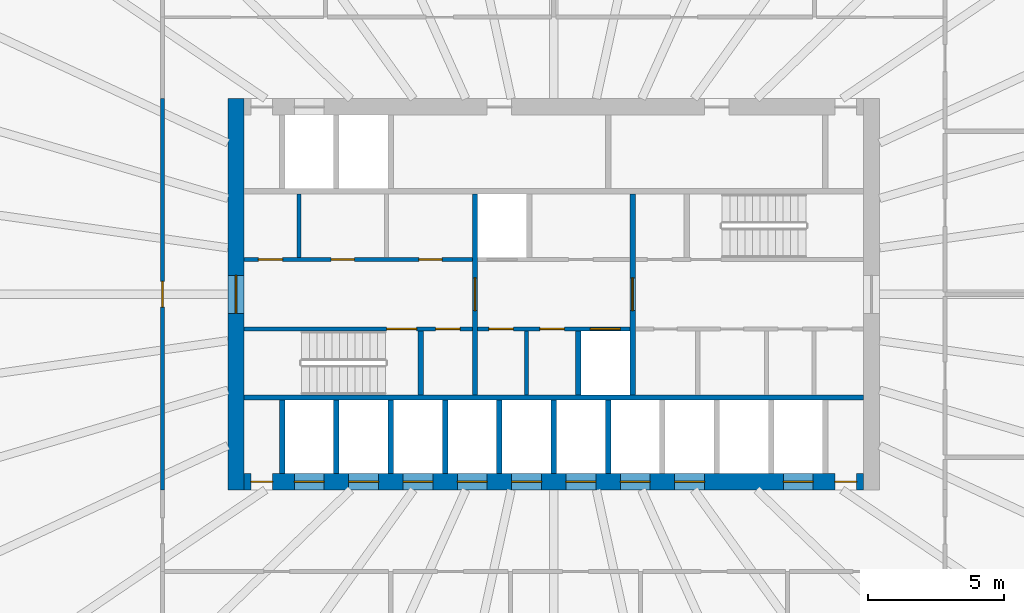
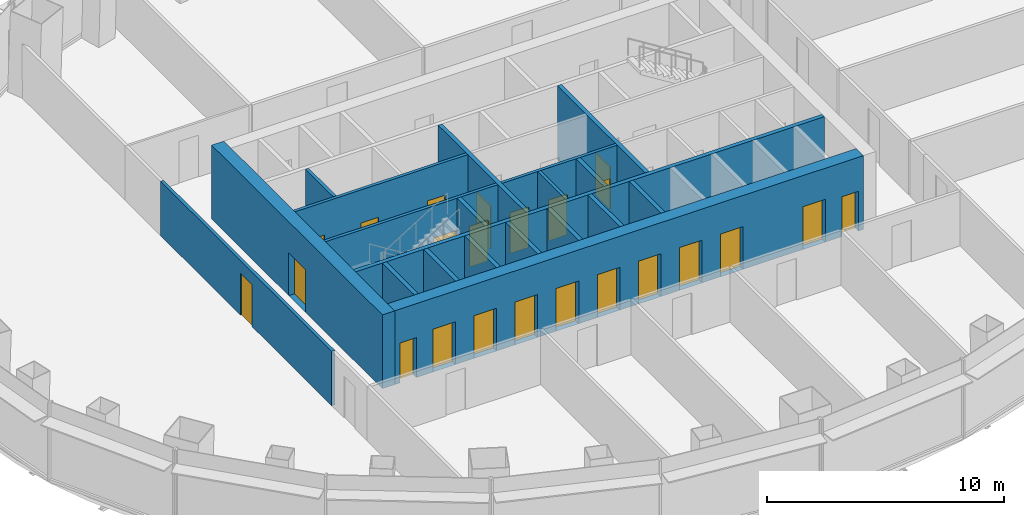
# One storey, part 7 of 13: 23 doors, 20 walls, 23 openings.
"""IFC4 building model written with IfcOpenShell, lengths in metres."""

from ifc_helpers import new_model, si_unit, direction, frame, frame_2d, origin, place, context, subcontext, project, spatial, rectangle, extrude, material, layer, layer_set, type_object, element, fill, save


model = new_model("IFC4")

# Units and contexts
model_context = context("Model", 3, precision=1e-05, world=origin(), true_north=direction((0.0, 1.0)))
body_context = subcontext(model_context, "Body", "Model", "MODEL_VIEW")
ifc_project = project(units=[si_unit("LENGTHUNIT", "METRE"), si_unit("AREAUNIT", "SQUARE_METRE"), si_unit("VOLUMEUNIT", "CUBIC_METRE"), si_unit("PLANEANGLEUNIT", "RADIAN"), si_unit("MASSUNIT", "GRAM", prefix="KILO")], contexts=[model_context])

# Site, building, storey
site_placement = place(None, origin())
site = spatial("IfcSite", under=ifc_project, at=site_placement, CompositionType="ELEMENT")
building_placement = place(site_placement, origin())
building = spatial("IfcBuilding", under=site, at=building_placement, Name="Siaravel Broadcast Tower", CompositionType="ELEMENT")
storey_placement = place(building_placement, frame((0.0, 0.0, 32.89990234375)))
storey = spatial("IfcBuildingStorey", under=building, at=storey_placement, Name="L06", CompositionType="ELEMENT", Elevation=32.89990234375)

# Walls
ifc_material_1 = material(Name="Concrete blockwork", Category="masonry")
ifc_layer_1 = layer(ifc_material_1, 0.14990234375)
ifc_layer_set_1 = layer_set([ifc_layer_1], Name="Concrete blockwork")
wall_type_1 = type_object("IfcWallType", Name="Core partition 150", PredefinedType="PARTITIONING", material=ifc_layer_set_1)
for number, where, z_axis, x_axis, name in (
    (1, (-9.381103515625, 1.35009765625, 0.0), (0.0, 0.0, 1.0), (0.0, 1.0, 0.0), "L06 core partition PNW0"),
    (2, (-1.0, -3.699951171875, 0.0), (0.0, 0.0, 1.0), (0.0, 1.0, 0.0), "L06 core partition PSM0"),
):
    element("IfcWall", number, at=place(storey_placement, frame(where, z_axis=z_axis, x_axis=x_axis)), inside=storey, type_object=wall_type_1, Name=name, PredefinedType="PARTITIONING", context=body_context, shape_type="SweptSolid", body=[
        extrude(rectangle(XDim=2.349853515625, YDim=0.14990234375, at=frame_2d((1.1748046875, 0.0))), origin(), (0.0, 0.0, 1.0), 3.800048828125),
    ])

# Wall, opening, door
ifc_material_2 = material(Name="Concrete C60/75", Category="concrete")
ifc_layer_2 = layer(ifc_material_2, 0.60009765625)
ifc_layer_set_2 = layer_set([ifc_layer_2], Name="Concrete C60/75")
wall_type_2 = type_object("IfcWallType", Name="Core wall 600", PredefinedType="SHEAR", material=ifc_layer_set_2)
wall_1_placement = place(storey_placement, frame((-11.699951171875, -7.199951171875, 0.0), z_axis=(0.0, 0.0, 1.0), x_axis=(0.0, 1.0, 0.0)))
wall_1 = element("IfcWall", 3, at=wall_1_placement, inside=storey, type_object=wall_type_2, Name="L06 core wall OW", PredefinedType="SHEAR", context=body_context, shape_type="SweptSolid", body=[
    extrude(rectangle(XDim=14.39990234375, YDim=0.60009765625, at=frame_2d((7.199951171875, 0.0))), origin(), (0.0, 0.0, 1.0), 3.800048828125),
])
opening_1_placement = place(wall_1_placement, frame((6.5, 0.0, 0.0)))
opening_1 = element("IfcOpeningElement", 4, at=opening_1_placement, cuts=wall_1, Name="Opening L06-DX-W", PredefinedType="OPENING", context=body_context, shape_type="SweptSolid", body=[
    extrude(rectangle(XDim=1.39990234375, YDim=2.199951171875, at=frame_2d((0.699951171875, 1.10009765625))), frame((0.0, 0.31005859375, 0.0), z_axis=(0.0, -1.0, 0.0), x_axis=(1.0, 0.0, 0.0)), (0.0, 0.0, 1.0), 0.6201171875),
])
ifc_material_3 = material(Name="Steel", Category="steel")
door_type_1 = type_object("IfcDoorType", Name="Core exit door 1400", OperationType="DOUBLE_DOOR_SINGLE_SWING", PredefinedType="DOOR", material=ifc_material_3)
door_1_placement = place(opening_1_placement, origin())
door_1 = element("IfcDoor", 5, at=door_1_placement, inside=storey, type_object=door_type_1, Name="L06 door DX-W", OperationType="DOUBLE_DOOR_SINGLE_SWING", OverallHeight=2.199951171875, OverallWidth=1.39990234375, PredefinedType="DOOR", context=body_context, shape_type="SweptSolid", body=[
    extrude(rectangle(XDim=1.39990234375, YDim=2.199951171875, at=frame_2d((0.699951171875, 1.10009765625))), frame((0.0, 0.02490234375, 0.0), z_axis=(0.0, -1.0, 0.0), x_axis=(1.0, 0.0, 0.0)), (0.0, 0.0, 1.0), 0.050048828125),
])
fill(opening_1, door_1)

# Wall, openings, doors
wall_2_placement = place(storey_placement, frame((-11.39990234375, -6.89990234375, 0.0), z_axis=(0.0, 0.0, 1.0), x_axis=(1.0, 0.0, 0.0)))
wall_2 = element("IfcWall", 6, at=wall_2_placement, inside=storey, type_object=wall_type_2, Name="L06 core wall OS", PredefinedType="SHEAR", context=body_context, shape_type="SweptSolid", body=[
    extrude(rectangle(XDim=22.7998046875, YDim=0.60009765625, at=frame_2d((11.39990234375, 0.0))), origin(), (0.0, 0.0, 1.0), 3.800048828125),
])
opening_2_placement = place(wall_2_placement, frame((1.85009765625, 0.0, 0.0)))
opening_2 = element("IfcOpeningElement", 7, at=opening_2_placement, cuts=wall_2, Name="Opening LD-LP1-L06", PredefinedType="OPENING", context=body_context, shape_type="SweptSolid", body=[
    extrude(rectangle(XDim=1.10009765625, YDim=2.199951171875, at=frame_2d((0.550048828125, 1.10009765625))), frame((0.0, 0.31005859375, 0.0), z_axis=(0.0, -1.0, 0.0), x_axis=(1.0, 0.0, 0.0)), (0.0, 0.0, 1.0), 0.6201171875),
])
opening_3_placement = place(wall_2_placement, frame((3.85009765625, 0.0, 0.0)))
opening_3 = element("IfcOpeningElement", 8, at=opening_3_placement, cuts=wall_2, Name="Opening LD-LP2-L06", PredefinedType="OPENING", context=body_context, shape_type="SweptSolid", body=[
    extrude(rectangle(XDim=1.10009765625, YDim=2.199951171875, at=frame_2d((0.550048828125, 1.10009765625))), frame((0.0, 0.31005859375, 0.0), z_axis=(0.0, -1.0, 0.0), x_axis=(1.0, 0.0, 0.0)), (0.0, 0.0, 1.0), 0.6201171875),
])
opening_4_placement = place(wall_2_placement, frame((5.85009765625, 0.0, 0.0)))
opening_4 = element("IfcOpeningElement", 9, at=opening_4_placement, cuts=wall_2, Name="Opening LD-LP3-L06", PredefinedType="OPENING", context=body_context, shape_type="SweptSolid", body=[
    extrude(rectangle(XDim=1.10009765625, YDim=2.199951171875, at=frame_2d((0.550048828125, 1.10009765625))), frame((0.0, 0.31005859375, 0.0), z_axis=(0.0, -1.0, 0.0), x_axis=(1.0, 0.0, 0.0)), (0.0, 0.0, 1.0), 0.6201171875),
])
opening_5_placement = place(wall_2_placement, frame((7.85009765625, 0.0, 0.0)))
opening_5 = element("IfcOpeningElement", 10, at=opening_5_placement, cuts=wall_2, Name="Opening LD-LP4-L06", PredefinedType="OPENING", context=body_context, shape_type="SweptSolid", body=[
    extrude(rectangle(XDim=1.10009765625, YDim=2.199951171875, at=frame_2d((0.550048828125, 1.10009765625))), frame((0.0, 0.31005859375, 0.0), z_axis=(0.0, -1.0, 0.0), x_axis=(1.0, 0.0, 0.0)), (0.0, 0.0, 1.0), 0.6201171875),
])
opening_6_placement = place(wall_2_placement, frame((9.85009765625, 0.0, 0.0)))
opening_6 = element("IfcOpeningElement", 11, at=opening_6_placement, cuts=wall_2, Name="Opening LD-LP5-L06", PredefinedType="OPENING", context=body_context, shape_type="SweptSolid", body=[
    extrude(rectangle(XDim=1.10009765625, YDim=2.199951171875, at=frame_2d((0.550048828125, 1.10009765625))), frame((0.0, 0.31005859375, 0.0), z_axis=(0.0, -1.0, 0.0), x_axis=(1.0, 0.0, 0.0)), (0.0, 0.0, 1.0), 0.6201171875),
])
opening_7_placement = place(wall_2_placement, frame((11.85009765625, 0.0, 0.0)))
opening_7 = element("IfcOpeningElement", 12, at=opening_7_placement, cuts=wall_2, Name="Opening LD-LP6-L06", PredefinedType="OPENING", context=body_context, shape_type="SweptSolid", body=[
    extrude(rectangle(XDim=1.10009765625, YDim=2.199951171875, at=frame_2d((0.550048828125, 1.10009765625))), frame((0.0, 0.31005859375, 0.0), z_axis=(0.0, -1.0, 0.0), x_axis=(1.0, 0.0, 0.0)), (0.0, 0.0, 1.0), 0.6201171875),
])
opening_8_placement = place(wall_2_placement, frame((13.85009765625, 0.0, 0.0)))
opening_8 = element("IfcOpeningElement", 13, at=opening_8_placement, cuts=wall_2, Name="Opening LD-LP7-L06", PredefinedType="OPENING", context=body_context, shape_type="SweptSolid", body=[
    extrude(rectangle(XDim=1.10009765625, YDim=2.199951171875, at=frame_2d((0.550048828125, 1.10009765625))), frame((0.0, 0.31005859375, 0.0), z_axis=(0.0, -1.0, 0.0), x_axis=(1.0, 0.0, 0.0)), (0.0, 0.0, 1.0), 0.6201171875),
])
opening_9_placement = place(wall_2_placement, frame((15.85009765625, 0.0, 0.0)))
opening_9 = element("IfcOpeningElement", 14, at=opening_9_placement, cuts=wall_2, Name="Opening LD-LP8-L06", PredefinedType="OPENING", context=body_context, shape_type="SweptSolid", body=[
    extrude(rectangle(XDim=1.10009765625, YDim=2.199951171875, at=frame_2d((0.550048828125, 1.10009765625))), frame((0.0, 0.31005859375, 0.0), z_axis=(0.0, -1.0, 0.0), x_axis=(1.0, 0.0, 0.0)), (0.0, 0.0, 1.0), 0.6201171875),
])
opening_10_placement = place(wall_2_placement, frame((19.85009765625, 0.0, 0.0)))
opening_10 = element("IfcOpeningElement", 15, at=opening_10_placement, cuts=wall_2, Name="Opening LD-SV1-L06", PredefinedType="OPENING", context=body_context, shape_type="SweptSolid", body=[
    extrude(rectangle(XDim=1.10009765625, YDim=2.199951171875, at=frame_2d((0.550048828125, 1.10009765625))), frame((0.0, 0.31005859375, 0.0), z_axis=(0.0, -1.0, 0.0), x_axis=(1.0, 0.0, 0.0)), (0.0, 0.0, 1.0), 0.6201171875),
])
opening_11_placement = place(wall_2_placement, frame((0.25, 0.0, 0.0)))
opening_11 = element("IfcOpeningElement", 16, at=opening_11_placement, cuts=wall_2, Name="Opening L06-DRSW", PredefinedType="OPENING", context=body_context, shape_type="SweptSolid", body=[
    extrude(rectangle(XDim=0.800048828125, YDim=2.050048828125, at=frame_2d((0.39990234375, 1.02490234375))), frame((0.0, 0.31005859375, 0.0), z_axis=(0.0, -1.0, 0.0), x_axis=(1.0, 0.0, 0.0)), (0.0, 0.0, 1.0), 0.6201171875),
])
opening_12_placement = place(wall_2_placement, frame((21.75, 0.0, 0.0)))
opening_12 = element("IfcOpeningElement", 17, at=opening_12_placement, cuts=wall_2, Name="Opening L06-DRSE", PredefinedType="OPENING", context=body_context, shape_type="SweptSolid", body=[
    extrude(rectangle(XDim=0.800048828125, YDim=2.050048828125, at=frame_2d((0.39990234375, 1.02490234375))), frame((0.0, 0.31005859375, 0.0), z_axis=(0.0, -1.0, 0.0), x_axis=(1.0, 0.0, 0.0)), (0.0, 0.0, 1.0), 0.6201171875),
])
ifc_material_4 = material(Name="Stainless steel 316L", Category="steel")
door_type_2 = type_object("IfcDoorType", Name="Lift landing door 1100", OperationType="DOUBLE_DOOR_SLIDING", PredefinedType="DOOR", material=ifc_material_4)
door_2_placement = place(opening_2_placement, origin())
door_2 = element("IfcDoor", 18, at=door_2_placement, inside=storey, type_object=door_type_2, Name="Landing door LP1 L06", OperationType="DOUBLE_DOOR_SLIDING", OverallHeight=2.199951171875, OverallWidth=1.10009765625, PredefinedType="DOOR", context=body_context, shape_type="SweptSolid", body=[
    extrude(rectangle(XDim=1.10009765625, YDim=2.199951171875, at=frame_2d((0.550048828125, 1.10009765625))), frame((0.0, 0.02490234375, 0.0), z_axis=(0.0, -1.0, 0.0), x_axis=(1.0, 0.0, 0.0)), (0.0, 0.0, 1.0), 0.050048828125),
])
fill(opening_2, door_2)
door_3_placement = place(opening_3_placement, origin())
door_3 = element("IfcDoor", 19, at=door_3_placement, inside=storey, type_object=door_type_2, Name="Landing door LP2 L06", OperationType="DOUBLE_DOOR_SLIDING", OverallHeight=2.199951171875, OverallWidth=1.10009765625, PredefinedType="DOOR", context=body_context, shape_type="SweptSolid", body=[
    extrude(rectangle(XDim=1.10009765625, YDim=2.199951171875, at=frame_2d((0.550048828125, 1.10009765625))), frame((0.0, 0.02490234375, 0.0), z_axis=(0.0, -1.0, 0.0), x_axis=(1.0, 0.0, 0.0)), (0.0, 0.0, 1.0), 0.050048828125),
])
fill(opening_3, door_3)
door_4_placement = place(opening_4_placement, origin())
door_4 = element("IfcDoor", 20, at=door_4_placement, inside=storey, type_object=door_type_2, Name="Landing door LP3 L06", OperationType="DOUBLE_DOOR_SLIDING", OverallHeight=2.199951171875, OverallWidth=1.10009765625, PredefinedType="DOOR", context=body_context, shape_type="SweptSolid", body=[
    extrude(rectangle(XDim=1.10009765625, YDim=2.199951171875, at=frame_2d((0.550048828125, 1.10009765625))), frame((0.0, 0.02490234375, 0.0), z_axis=(0.0, -1.0, 0.0), x_axis=(1.0, 0.0, 0.0)), (0.0, 0.0, 1.0), 0.050048828125),
])
fill(opening_4, door_4)
door_5_placement = place(opening_5_placement, origin())
door_5 = element("IfcDoor", 21, at=door_5_placement, inside=storey, type_object=door_type_2, Name="Landing door LP4 L06", OperationType="DOUBLE_DOOR_SLIDING", OverallHeight=2.199951171875, OverallWidth=1.10009765625, PredefinedType="DOOR", context=body_context, shape_type="SweptSolid", body=[
    extrude(rectangle(XDim=1.10009765625, YDim=2.199951171875, at=frame_2d((0.550048828125, 1.10009765625))), frame((0.0, 0.02490234375, 0.0), z_axis=(0.0, -1.0, 0.0), x_axis=(1.0, 0.0, 0.0)), (0.0, 0.0, 1.0), 0.050048828125),
])
fill(opening_5, door_5)
door_6_placement = place(opening_6_placement, origin())
door_6 = element("IfcDoor", 22, at=door_6_placement, inside=storey, type_object=door_type_2, Name="Landing door LP5 L06", OperationType="DOUBLE_DOOR_SLIDING", OverallHeight=2.199951171875, OverallWidth=1.10009765625, PredefinedType="DOOR", context=body_context, shape_type="SweptSolid", body=[
    extrude(rectangle(XDim=1.10009765625, YDim=2.199951171875, at=frame_2d((0.550048828125, 1.10009765625))), frame((0.0, 0.02490234375, 0.0), z_axis=(0.0, -1.0, 0.0), x_axis=(1.0, 0.0, 0.0)), (0.0, 0.0, 1.0), 0.050048828125),
])
fill(opening_6, door_6)
door_7_placement = place(opening_7_placement, origin())
door_7 = element("IfcDoor", 23, at=door_7_placement, inside=storey, type_object=door_type_2, Name="Landing door LP6 L06", OperationType="DOUBLE_DOOR_SLIDING", OverallHeight=2.199951171875, OverallWidth=1.10009765625, PredefinedType="DOOR", context=body_context, shape_type="SweptSolid", body=[
    extrude(rectangle(XDim=1.10009765625, YDim=2.199951171875, at=frame_2d((0.550048828125, 1.10009765625))), frame((0.0, 0.02490234375, 0.0), z_axis=(0.0, -1.0, 0.0), x_axis=(1.0, 0.0, 0.0)), (0.0, 0.0, 1.0), 0.050048828125),
])
fill(opening_7, door_7)
door_8_placement = place(opening_8_placement, origin())
door_8 = element("IfcDoor", 24, at=door_8_placement, inside=storey, type_object=door_type_2, Name="Landing door LP7 L06", OperationType="DOUBLE_DOOR_SLIDING", OverallHeight=2.199951171875, OverallWidth=1.10009765625, PredefinedType="DOOR", context=body_context, shape_type="SweptSolid", body=[
    extrude(rectangle(XDim=1.10009765625, YDim=2.199951171875, at=frame_2d((0.550048828125, 1.10009765625))), frame((0.0, 0.02490234375, 0.0), z_axis=(0.0, -1.0, 0.0), x_axis=(1.0, 0.0, 0.0)), (0.0, 0.0, 1.0), 0.050048828125),
])
fill(opening_8, door_8)
door_9_placement = place(opening_9_placement, origin())
door_9 = element("IfcDoor", 25, at=door_9_placement, inside=storey, type_object=door_type_2, Name="Landing door LP8 L06", OperationType="DOUBLE_DOOR_SLIDING", OverallHeight=2.199951171875, OverallWidth=1.10009765625, PredefinedType="DOOR", context=body_context, shape_type="SweptSolid", body=[
    extrude(rectangle(XDim=1.10009765625, YDim=2.199951171875, at=frame_2d((0.550048828125, 1.10009765625))), frame((0.0, 0.02490234375, 0.0), z_axis=(0.0, -1.0, 0.0), x_axis=(1.0, 0.0, 0.0)), (0.0, 0.0, 1.0), 0.050048828125),
])
fill(opening_9, door_9)
door_type_3 = type_object("IfcDoorType", Name="Riser door 800", OperationType="SINGLE_SWING_LEFT", PredefinedType="DOOR", material=ifc_material_3)
door_10_placement = place(opening_11_placement, origin())
door_10 = element("IfcDoor", 26, at=door_10_placement, inside=storey, type_object=door_type_3, Name="L06 door DRSW", OperationType="SINGLE_SWING_LEFT", OverallHeight=2.050048828125, OverallWidth=0.800048828125, PredefinedType="DOOR", context=body_context, shape_type="SweptSolid", body=[
    extrude(rectangle(XDim=0.800048828125, YDim=2.050048828125, at=frame_2d((0.39990234375, 1.02490234375))), frame((0.0, 0.02490234375, 0.0), z_axis=(0.0, -1.0, 0.0), x_axis=(1.0, 0.0, 0.0)), (0.0, 0.0, 1.0), 0.050048828125),
])
fill(opening_11, door_10)
door_11_placement = place(opening_12_placement, origin())
door_11 = element("IfcDoor", 27, at=door_11_placement, inside=storey, type_object=door_type_3, Name="L06 door DRSE", OperationType="SINGLE_SWING_LEFT", OverallHeight=2.050048828125, OverallWidth=0.800048828125, PredefinedType="DOOR", context=body_context, shape_type="SweptSolid", body=[
    extrude(rectangle(XDim=0.800048828125, YDim=2.050048828125, at=frame_2d((0.39990234375, 1.02490234375))), frame((0.0, 0.02490234375, 0.0), z_axis=(0.0, -1.0, 0.0), x_axis=(1.0, 0.0, 0.0)), (0.0, 0.0, 1.0), 0.050048828125),
])
fill(opening_12, door_11)
door_type_4 = type_object("IfcDoorType", Name="Service lift landing door 1100", OperationType="DOUBLE_DOOR_SLIDING", PredefinedType="DOOR", material=ifc_material_4)
door_12_placement = place(opening_10_placement, origin())
door_12 = element("IfcDoor", 28, at=door_12_placement, inside=storey, type_object=door_type_4, Name="Landing door SV1 L06", OperationType="DOUBLE_DOOR_SLIDING", OverallHeight=2.199951171875, OverallWidth=1.10009765625, PredefinedType="DOOR", context=body_context, shape_type="SweptSolid", body=[
    extrude(rectangle(XDim=1.10009765625, YDim=2.199951171875, at=frame_2d((0.550048828125, 1.10009765625))), frame((0.0, 0.02490234375, 0.0), z_axis=(0.0, -1.0, 0.0), x_axis=(1.0, 0.0, 0.0)), (0.0, 0.0, 1.0), 0.050048828125),
])
fill(opening_10, door_12)

ifc_material_5 = material(Name="Gypsum board partition", Category="gypsum")
ifc_layer_3 = layer(ifc_material_5, 0.14990234375)
ifc_layer_set_3 = layer_set([ifc_layer_3], Name="Gypsum board partition")
wall_type_3 = type_object("IfcWallType", Name="Corridor wall 150", PredefinedType="PARTITIONING", material=ifc_layer_set_3)
wall_3_placement = place(storey_placement, frame((-11.39990234375, 1.27490234375, 0.0), z_axis=(0.0, 0.0, 1.0), x_axis=(1.0, 0.0, 0.0)))
wall_3 = element("IfcWall", 29, at=wall_3_placement, inside=storey, type_object=wall_type_3, Name="L06 core partition CNW", PredefinedType="PARTITIONING", context=body_context, shape_type="SweptSolid", body=[
    extrude(rectangle(XDim=8.39990234375, YDim=0.14990234375, at=frame_2d((4.199951171875, 0.0))), origin(), (0.0, 0.0, 1.0), 3.800048828125),
])
opening_13_placement = place(wall_3_placement, frame((0.52197265625, 0.0, 0.0)))
opening_13 = element("IfcOpeningElement", 30, at=opening_13_placement, cuts=wall_3, Name="Opening L06-DNW0", PredefinedType="OPENING", context=body_context, shape_type="SweptSolid", body=[
    extrude(rectangle(XDim=0.89990234375, YDim=2.10009765625, at=frame_2d((0.449951171875, 1.050048828125))), frame((0.0, 0.0849609375, 0.0), z_axis=(0.0, -1.0, 0.0), x_axis=(1.0, 0.0, 0.0)), (0.0, 0.0, 1.0), 0.169921875),
])
opening_14_placement = place(wall_3_placement, frame((3.2080078125, 0.0, 0.0)))
opening_14 = element("IfcOpeningElement", 31, at=opening_14_placement, cuts=wall_3, Name="Opening L06-DNW1", PredefinedType="OPENING", context=body_context, shape_type="SweptSolid", body=[
    extrude(rectangle(XDim=0.85009765625, YDim=2.10009765625, at=frame_2d((0.425048828125, 1.050048828125))), frame((0.0, 0.0849609375, 0.0), z_axis=(0.0, -1.0, 0.0), x_axis=(1.0, 0.0, 0.0)), (0.0, 0.0, 1.0), 0.169921875),
])
opening_15_placement = place(wall_3_placement, frame((6.43603515625, 0.0, 0.0)))
opening_15 = element("IfcOpeningElement", 32, at=opening_15_placement, cuts=wall_3, Name="Opening L06-DNW2", PredefinedType="OPENING", context=body_context, shape_type="SweptSolid", body=[
    extrude(rectangle(XDim=0.85009765625, YDim=2.10009765625, at=frame_2d((0.425048828125, 1.050048828125))), frame((0.0, 0.0849609375, 0.0), z_axis=(0.0, -1.0, 0.0), x_axis=(1.0, 0.0, 0.0)), (0.0, 0.0, 1.0), 0.169921875),
])
ifc_material_6 = material(Name="Timber veneer", Category="wood")
door_type_5 = type_object("IfcDoorType", Name="Core room door 900", OperationType="SINGLE_SWING_LEFT", PredefinedType="DOOR", material=ifc_material_6)
door_13_placement = place(opening_13_placement, origin())
door_13 = element("IfcDoor", 33, at=door_13_placement, inside=storey, type_object=door_type_5, Name="L06 door DNW0", OperationType="SINGLE_SWING_LEFT", OverallHeight=2.10009765625, OverallWidth=0.89990234375, PredefinedType="DOOR", context=body_context, shape_type="SweptSolid", body=[
    extrude(rectangle(XDim=0.89990234375, YDim=2.10009765625, at=frame_2d((0.449951171875, 1.050048828125))), frame((0.0, 0.02490234375, 0.0), z_axis=(0.0, -1.0, 0.0), x_axis=(1.0, 0.0, 0.0)), (0.0, 0.0, 1.0), 0.050048828125),
])
fill(opening_13, door_13)
door_type_6 = type_object("IfcDoorType", Name="Core toilet door 850", OperationType="SINGLE_SWING_LEFT", PredefinedType="DOOR", material=ifc_material_6)
door_14_placement = place(opening_14_placement, origin())
door_14 = element("IfcDoor", 34, at=door_14_placement, inside=storey, type_object=door_type_6, Name="L06 door DNW1", OperationType="SINGLE_SWING_LEFT", OverallHeight=2.10009765625, OverallWidth=0.85009765625, PredefinedType="DOOR", context=body_context, shape_type="SweptSolid", body=[
    extrude(rectangle(XDim=0.85009765625, YDim=2.10009765625, at=frame_2d((0.425048828125, 1.050048828125))), frame((0.0, 0.02490234375, 0.0), z_axis=(0.0, -1.0, 0.0), x_axis=(1.0, 0.0, 0.0)), (0.0, 0.0, 1.0), 0.050048828125),
])
fill(opening_14, door_14)
door_15_placement = place(opening_15_placement, origin())
door_15 = element("IfcDoor", 35, at=door_15_placement, inside=storey, type_object=door_type_6, Name="L06 door DNW2", OperationType="SINGLE_SWING_LEFT", OverallHeight=2.10009765625, OverallWidth=0.85009765625, PredefinedType="DOOR", context=body_context, shape_type="SweptSolid", body=[
    extrude(rectangle(XDim=0.85009765625, YDim=2.10009765625, at=frame_2d((0.425048828125, 1.050048828125))), frame((0.0, 0.02490234375, 0.0), z_axis=(0.0, -1.0, 0.0), x_axis=(1.0, 0.0, 0.0)), (0.0, 0.0, 1.0), 0.050048828125),
])
fill(opening_15, door_15)

# Wall, opening, door
wall_4_placement = place(storey_placement, frame((-14.39990234375, 7.2119140625, 0.0), z_axis=(0.0, 0.0, 1.0), x_axis=(0.0, -1.0, 0.0)))
wall_4 = element("IfcWall", 36, at=wall_4_placement, inside=storey, type_object=wall_type_3, Name="L06 partition 1", PredefinedType="PARTITIONING", context=body_context, shape_type="SweptSolid", body=[
    extrude(rectangle(XDim=14.423828125, YDim=0.14990234375, at=frame_2d((7.2119140625, 0.0))), origin(), (0.0, 0.0, 1.0), 2.800048828125),
])
opening_16_placement = place(wall_4_placement, frame((6.737060546875, 0.0, 0.0)))
opening_16 = element("IfcOpeningElement", 37, at=opening_16_placement, cuts=wall_4, Name="Opening L06-001", PredefinedType="OPENING", context=body_context, shape_type="SweptSolid", body=[
    extrude(rectangle(XDim=0.949951171875, YDim=2.14990234375, at=frame_2d((0.47509765625, 1.074951171875))), frame((0.0, 0.0849609375, 0.0), z_axis=(0.0, -1.0, 0.0), x_axis=(1.0, 0.0, 0.0)), (0.0, 0.0, 1.0), 0.169921875),
])
door_type_7 = type_object("IfcDoorType", Name="Office door 950", OperationType="SINGLE_SWING_LEFT", PredefinedType="DOOR", material=ifc_material_6)
door_16_placement = place(opening_16_placement, origin())
door_16 = element("IfcDoor", 38, at=door_16_placement, inside=storey, type_object=door_type_7, Name="L06 door to Broadcast operations centre", OperationType="SINGLE_SWING_LEFT", OverallHeight=2.14990234375, OverallWidth=0.949951171875, PredefinedType="DOOR", context=body_context, shape_type="SweptSolid", body=[
    extrude(rectangle(XDim=0.949951171875, YDim=2.14990234375, at=frame_2d((0.47509765625, 1.074951171875))), frame((0.0, 0.02490234375, 0.0), z_axis=(0.0, -1.0, 0.0), x_axis=(1.0, 0.0, 0.0)), (0.0, 0.0, 1.0), 0.050048828125),
])
fill(opening_16, door_16)

# Wall, openings, doors
ifc_layer_4 = layer(ifc_material_2, 0.14990234375)
ifc_layer_set_4 = layer_set([ifc_layer_4], Name="Concrete C60/75")
wall_type_4 = type_object("IfcWallType", Name="Shaft wall 150", PredefinedType="SHEAR", material=ifc_layer_set_4)
wall_5_placement = place(storey_placement, frame((-11.39990234375, -1.27490234375, 0.0), z_axis=(0.0, 0.0, 1.0), x_axis=(1.0, 0.0, 0.0)))
wall_5 = element("IfcWall", 39, at=wall_5_placement, inside=storey, type_object=wall_type_4, Name="L06 core wall CSW", PredefinedType="SHEAR", context=body_context, shape_type="SweptSolid", body=[
    extrude(rectangle(XDim=8.39990234375, YDim=0.14990234375, at=frame_2d((4.199951171875, 0.0))), origin(), (0.0, 0.0, 1.0), 3.800048828125),
])
opening_17_placement = place(wall_5_placement, frame((5.25, 0.0, 0.0)))
opening_17 = element("IfcOpeningElement", 40, at=opening_17_placement, cuts=wall_5, Name="Opening L06-DS-1", PredefinedType="OPENING", context=body_context, shape_type="SweptSolid", body=[
    extrude(rectangle(XDim=1.10009765625, YDim=2.14990234375, at=frame_2d((0.550048828125, 1.074951171875))), frame((0.0, 0.0849609375, 0.0), z_axis=(0.0, -1.0, 0.0), x_axis=(1.0, 0.0, 0.0)), (0.0, 0.0, 1.0), 0.169921875),
])
opening_18_placement = place(wall_5_placement, frame((7.050048828125, 0.0, 0.0)))
opening_18 = element("IfcOpeningElement", 41, at=opening_18_placement, cuts=wall_5, Name="Opening L06-DSW0", PredefinedType="OPENING", context=body_context, shape_type="SweptSolid", body=[
    extrude(rectangle(XDim=0.89990234375, YDim=2.10009765625, at=frame_2d((0.449951171875, 1.050048828125))), frame((0.0, 0.0849609375, 0.0), z_axis=(0.0, -1.0, 0.0), x_axis=(1.0, 0.0, 0.0)), (0.0, 0.0, 1.0), 0.169921875),
])
door_17_placement = place(opening_18_placement, origin())
door_17 = element("IfcDoor", 42, at=door_17_placement, inside=storey, type_object=door_type_5, Name="L06 door DSW0", OperationType="SINGLE_SWING_LEFT", OverallHeight=2.10009765625, OverallWidth=0.89990234375, PredefinedType="DOOR", context=body_context, shape_type="SweptSolid", body=[
    extrude(rectangle(XDim=0.89990234375, YDim=2.10009765625, at=frame_2d((0.449951171875, 1.050048828125))), frame((0.0, 0.02490234375, 0.0), z_axis=(0.0, -1.0, 0.0), x_axis=(1.0, 0.0, 0.0)), (0.0, 0.0, 1.0), 0.050048828125),
])
fill(opening_18, door_17)
door_type_8 = type_object("IfcDoorType", Name="Stair door 1100", OperationType="SINGLE_SWING_LEFT", PredefinedType="DOOR", material=ifc_material_3)
door_18_placement = place(opening_17_placement, origin())
door_18 = element("IfcDoor", 43, at=door_18_placement, inside=storey, type_object=door_type_8, Name="L06 door DS-1", OperationType="SINGLE_SWING_LEFT", OverallHeight=2.14990234375, OverallWidth=1.10009765625, PredefinedType="DOOR", context=body_context, shape_type="SweptSolid", body=[
    extrude(rectangle(XDim=1.10009765625, YDim=2.14990234375, at=frame_2d((0.550048828125, 1.074951171875))), frame((0.0, 0.02490234375, 0.0), z_axis=(0.0, -1.0, 0.0), x_axis=(1.0, 0.0, 0.0)), (0.0, 0.0, 1.0), 0.050048828125),
])
fill(opening_17, door_18)

wall_6_placement = place(storey_placement, frame((-2.800048828125, -1.27490234375, 0.0), z_axis=(0.0, 0.0, 1.0), x_axis=(1.0, 0.0, 0.0)))
wall_6 = element("IfcWall", 44, at=wall_6_placement, inside=storey, type_object=wall_type_4, Name="L06 core wall CSM", PredefinedType="SHEAR", context=body_context, shape_type="SweptSolid", body=[
    extrude(rectangle(XDim=5.60009765625, YDim=0.14990234375, at=frame_2d((2.800048828125, 0.0))), origin(), (0.0, 0.0, 1.0), 3.800048828125),
])
opening_19_placement = place(wall_6_placement, frame((4.14990234375, 0.0, 0.0)))
opening_19 = element("IfcOpeningElement", 45, at=opening_19_placement, cuts=wall_6, Name="Opening LD-FL2-L06", PredefinedType="OPENING", context=body_context, shape_type="SweptSolid", body=[
    extrude(rectangle(XDim=1.10009765625, YDim=2.199951171875, at=frame_2d((0.550048828125, 1.10009765625))), frame((0.0, 0.0849609375, 0.0), z_axis=(0.0, -1.0, 0.0), x_axis=(1.0, 0.0, 0.0)), (0.0, 0.0, 1.0), 0.169921875),
])
opening_20_placement = place(wall_6_placement, frame((0.41259765625, 0.0, 0.0)))
opening_20 = element("IfcOpeningElement", 46, at=opening_20_placement, cuts=wall_6, Name="Opening L06-DSM0", PredefinedType="OPENING", context=body_context, shape_type="SweptSolid", body=[
    extrude(rectangle(XDim=0.89990234375, YDim=2.10009765625, at=frame_2d((0.449951171875, 1.050048828125))), frame((0.0, 0.0849609375, 0.0), z_axis=(0.0, -1.0, 0.0), x_axis=(1.0, 0.0, 0.0)), (0.0, 0.0, 1.0), 0.169921875),
])
opening_21_placement = place(wall_6_placement, frame((2.28759765625, 0.0, 0.0)))
opening_21 = element("IfcOpeningElement", 47, at=opening_21_placement, cuts=wall_6, Name="Opening L06-DSM1", PredefinedType="OPENING", context=body_context, shape_type="SweptSolid", body=[
    extrude(rectangle(XDim=0.89990234375, YDim=2.10009765625, at=frame_2d((0.449951171875, 1.050048828125))), frame((0.0, 0.0849609375, 0.0), z_axis=(0.0, -1.0, 0.0), x_axis=(1.0, 0.0, 0.0)), (0.0, 0.0, 1.0), 0.169921875),
])
door_19_placement = place(opening_20_placement, origin())
door_19 = element("IfcDoor", 48, at=door_19_placement, inside=storey, type_object=door_type_5, Name="L06 door DSM0", OperationType="SINGLE_SWING_LEFT", OverallHeight=2.10009765625, OverallWidth=0.89990234375, PredefinedType="DOOR", context=body_context, shape_type="SweptSolid", body=[
    extrude(rectangle(XDim=0.89990234375, YDim=2.10009765625, at=frame_2d((0.449951171875, 1.050048828125))), frame((0.0, 0.02490234375, 0.0), z_axis=(0.0, -1.0, 0.0), x_axis=(1.0, 0.0, 0.0)), (0.0, 0.0, 1.0), 0.050048828125),
])
fill(opening_20, door_19)
door_20_placement = place(opening_21_placement, origin())
door_20 = element("IfcDoor", 49, at=door_20_placement, inside=storey, type_object=door_type_5, Name="L06 door DSM1", OperationType="SINGLE_SWING_LEFT", OverallHeight=2.10009765625, OverallWidth=0.89990234375, PredefinedType="DOOR", context=body_context, shape_type="SweptSolid", body=[
    extrude(rectangle(XDim=0.89990234375, YDim=2.10009765625, at=frame_2d((0.449951171875, 1.050048828125))), frame((0.0, 0.02490234375, 0.0), z_axis=(0.0, -1.0, 0.0), x_axis=(1.0, 0.0, 0.0)), (0.0, 0.0, 1.0), 0.050048828125),
])
fill(opening_21, door_20)
door_type_9 = type_object("IfcDoorType", Name="Firefighting lift landing door 1100", OperationType="DOUBLE_DOOR_SLIDING", PredefinedType="DOOR", material=ifc_material_4)
door_21_placement = place(opening_19_placement, origin())
door_21 = element("IfcDoor", 50, at=door_21_placement, inside=storey, type_object=door_type_9, Name="Landing door FL2 L06", OperationType="DOUBLE_DOOR_SLIDING", OverallHeight=2.199951171875, OverallWidth=1.10009765625, PredefinedType="DOOR", context=body_context, shape_type="SweptSolid", body=[
    extrude(rectangle(XDim=1.10009765625, YDim=2.199951171875, at=frame_2d((0.550048828125, 1.10009765625))), frame((0.0, 0.02490234375, 0.0), z_axis=(0.0, -1.0, 0.0), x_axis=(1.0, 0.0, 0.0)), (0.0, 0.0, 1.0), 0.050048828125),
])
fill(opening_19, door_21)

# Walls
ifc_layer_5 = layer(ifc_material_2, 0.199951171875)
ifc_layer_set_5 = layer_set([ifc_layer_5], Name="Concrete C60/75")
wall_type_5 = type_object("IfcWallType", Name="Shaft wall 200", PredefinedType="SHEAR", material=ifc_layer_set_5)
wall_7_placement = place(storey_placement, frame((-11.39990234375, -3.800048828125, 0.0), z_axis=(0.0, 0.0, 1.0), x_axis=(1.0, 0.0, 0.0)))
element("IfcWall", 51, at=wall_7_placement, inside=storey, type_object=wall_type_5, Name="L06 core wall BS", PredefinedType="SHEAR", context=body_context, shape_type="SweptSolid", body=[
    extrude(rectangle(XDim=22.7998046875, YDim=0.199951171875, at=frame_2d((11.39990234375, 0.0))), origin(), (0.0, 0.0, 1.0), 3.800048828125),
])
for number, where, z_axis, x_axis, name in (
    (52, (-10.0, -6.60009765625, 0.0), (0.0, 0.0, 1.0), (0.0, 1.0, 0.0), "L06 core wall SWS0"),
    (53, (-8.0, -6.60009765625, 0.0), (0.0, 0.0, 1.0), (0.0, 1.0, 0.0), "L06 core wall SWS1"),
    (54, (-6.0, -6.60009765625, 0.0), (0.0, 0.0, 1.0), (0.0, 1.0, 0.0), "L06 core wall SWS2"),
    (55, (-4.0, -6.60009765625, 0.0), (0.0, 0.0, 1.0), (0.0, 1.0, 0.0), "L06 core wall SWS3"),
    (56, (-2.0, -6.60009765625, 0.0), (0.0, 0.0, 1.0), (0.0, 1.0, 0.0), "L06 core wall SWS4"),
    (57, (0.0, -6.60009765625, 0.0), (0.0, 0.0, 1.0), (0.0, 1.0, 0.0), "L06 core wall SWS5"),
    (58, (2.0, -6.60009765625, 0.0), (0.0, 0.0, 1.0), (0.0, 1.0, 0.0), "L06 core wall SWS6"),
):
    element("IfcWall", number, at=place(storey_placement, frame(where, z_axis=z_axis, x_axis=x_axis)), inside=storey, type_object=wall_type_5, Name=name, PredefinedType="SHEAR", context=body_context, shape_type="SweptSolid", body=[
        extrude(rectangle(XDim=2.7001953125, YDim=0.199951171875, at=frame_2d((1.35009765625, 0.0))), origin(), (0.0, 0.0, 1.0), 3.800048828125),
    ])

# Wall, opening, door
wall_8_placement = place(storey_placement, frame((-2.89990234375, -3.699951171875, 0.0), z_axis=(0.0, 0.0, 1.0), x_axis=(0.0, 1.0, 0.0)))
wall_8 = element("IfcWall", 59, at=wall_8_placement, inside=storey, type_object=wall_type_5, Name="L06 core wall LW", PredefinedType="SHEAR", context=body_context, shape_type="SweptSolid", body=[
    extrude(rectangle(XDim=7.39990234375, YDim=0.199951171875, at=frame_2d((3.699951171875, 0.0))), origin(), (0.0, 0.0, 1.0), 3.800048828125),
])
opening_22_placement = place(wall_8_placement, frame((3.10009765625, 0.0, 0.0)))
opening_22 = element("IfcOpeningElement", 60, at=opening_22_placement, cuts=wall_8, Name="Opening L06-DL-W", PredefinedType="OPENING", context=body_context, shape_type="SweptSolid", body=[
    extrude(rectangle(XDim=1.199951171875, YDim=2.199951171875, at=frame_2d((0.60009765625, 1.10009765625))), frame((0.0, 0.10986328125, 0.0), z_axis=(0.0, -1.0, 0.0), x_axis=(1.0, 0.0, 0.0)), (0.0, 0.0, 1.0), 0.219970703125),
])
door_type_10 = type_object("IfcDoorType", Name="Firefighting lobby door 1200", OperationType="SINGLE_SWING_LEFT", PredefinedType="DOOR", material=ifc_material_3)
door_22_placement = place(opening_22_placement, origin())
door_22 = element("IfcDoor", 61, at=door_22_placement, inside=storey, type_object=door_type_10, Name="L06 door DL-W", OperationType="SINGLE_SWING_LEFT", OverallHeight=2.199951171875, OverallWidth=1.199951171875, PredefinedType="DOOR", context=body_context, shape_type="SweptSolid", body=[
    extrude(rectangle(XDim=1.199951171875, YDim=2.199951171875, at=frame_2d((0.60009765625, 1.10009765625))), frame((0.0, 0.02490234375, 0.0), z_axis=(0.0, -1.0, 0.0), x_axis=(1.0, 0.0, 0.0)), (0.0, 0.0, 1.0), 0.050048828125),
])
fill(opening_22, door_22)

wall_9_placement = place(storey_placement, frame((2.89990234375, -3.699951171875, 0.0), z_axis=(0.0, 0.0, 1.0), x_axis=(0.0, 1.0, 0.0)))
wall_9 = element("IfcWall", 62, at=wall_9_placement, inside=storey, type_object=wall_type_5, Name="L06 core wall LE", PredefinedType="SHEAR", context=body_context, shape_type="SweptSolid", body=[
    extrude(rectangle(XDim=7.39990234375, YDim=0.199951171875, at=frame_2d((3.699951171875, 0.0))), origin(), (0.0, 0.0, 1.0), 3.800048828125),
])
opening_23_placement = place(wall_9_placement, frame((3.10009765625, 0.0, 0.0)))
opening_23 = element("IfcOpeningElement", 63, at=opening_23_placement, cuts=wall_9, Name="Opening L06-DL-E", PredefinedType="OPENING", context=body_context, shape_type="SweptSolid", body=[
    extrude(rectangle(XDim=1.199951171875, YDim=2.199951171875, at=frame_2d((0.60009765625, 1.10009765625))), frame((0.0, 0.10986328125, 0.0), z_axis=(0.0, -1.0, 0.0), x_axis=(1.0, 0.0, 0.0)), (0.0, 0.0, 1.0), 0.219970703125),
])
door_23_placement = place(opening_23_placement, origin())
door_23 = element("IfcDoor", 64, at=door_23_placement, inside=storey, type_object=door_type_10, Name="L06 door DL-E", OperationType="SINGLE_SWING_LEFT", OverallHeight=2.199951171875, OverallWidth=1.199951171875, PredefinedType="DOOR", context=body_context, shape_type="SweptSolid", body=[
    extrude(rectangle(XDim=1.199951171875, YDim=2.199951171875, at=frame_2d((0.60009765625, 1.10009765625))), frame((0.0, 0.02490234375, 0.0), z_axis=(0.0, -1.0, 0.0), x_axis=(1.0, 0.0, 0.0)), (0.0, 0.0, 1.0), 0.050048828125),
])
fill(opening_23, door_23)

# Walls
for number, where, z_axis, x_axis, name in (
    (65, (0.89990234375, -3.699951171875, 0.0), (0.0, 0.0, 1.0), (0.0, 1.0, 0.0), "L06 core wall FF2W"),
    (66, (-4.89990234375, -3.699951171875, 0.0), (0.0, 0.0, 1.0), (0.0, 1.0, 0.0), "L06 core wall ST1E"),
):
    element("IfcWall", number, at=place(storey_placement, frame(where, z_axis=z_axis, x_axis=x_axis)), inside=storey, type_object=wall_type_5, Name=name, PredefinedType="SHEAR", context=body_context, shape_type="SweptSolid", body=[
        extrude(rectangle(XDim=2.349853515625, YDim=0.199951171875, at=frame_2d((1.1748046875, 0.0))), origin(), (0.0, 0.0, 1.0), 3.800048828125),
    ])

save(model, "model.ifc")
